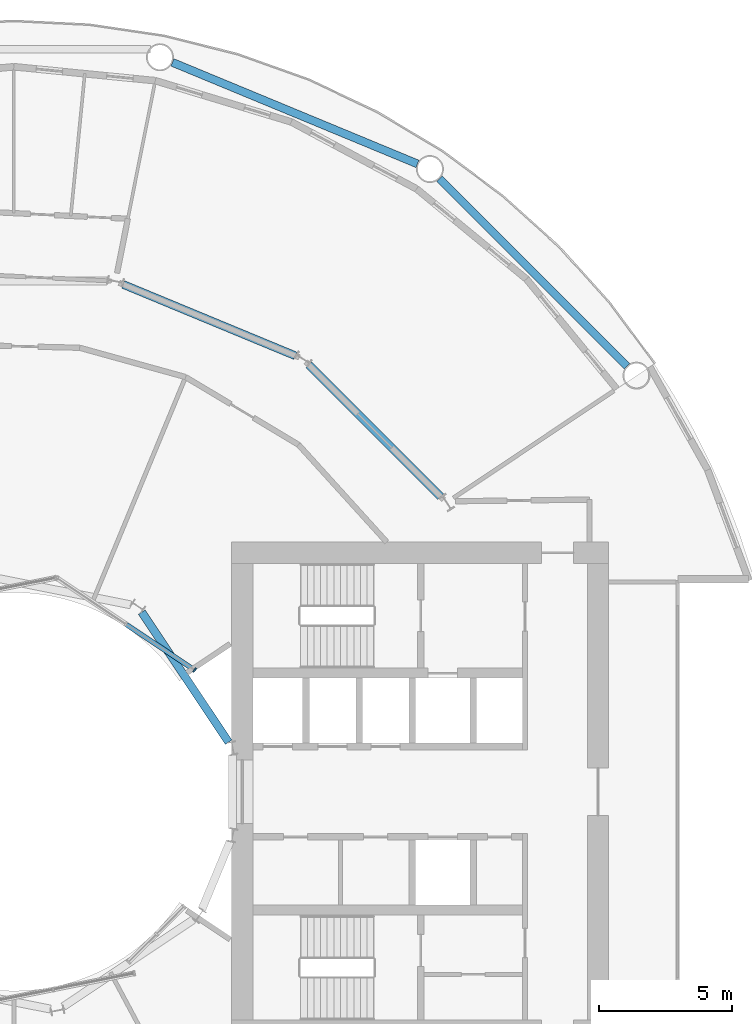
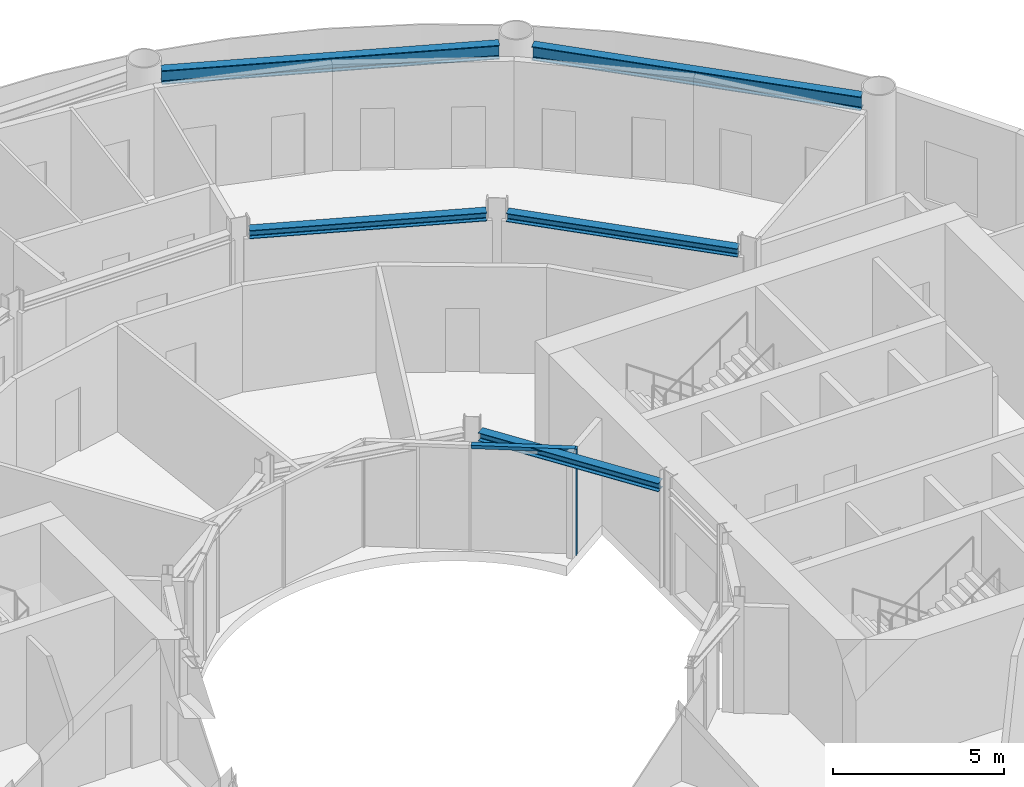
# One storey, part 8 of 19: 5 beams, 2 members, 1 element without a shape of its own.
"""IFC4 building model written with IfcOpenShell, lengths in metres."""

from ifc_helpers import new_model, si_unit, direction, frame, origin, origin_2d, place, context, subcontext, project, spatial, rectangle, i_section, extrude, material, layer, layer_set, material_profile, profile_set, type_object, element, aggregate, save


model = new_model("IFC4")

# Units and contexts
model_context = context("Model", 3, precision=1e-05, world=origin(), true_north=direction((0.0, 1.0)))
body_context = subcontext(model_context, "Body", "Model", "MODEL_VIEW")
ifc_project = project(units=[si_unit("LENGTHUNIT", "METRE"), si_unit("AREAUNIT", "SQUARE_METRE"), si_unit("VOLUMEUNIT", "CUBIC_METRE"), si_unit("PLANEANGLEUNIT", "RADIAN"), si_unit("MASSUNIT", "GRAM", prefix="KILO")], contexts=[model_context])

# Site, building, storey
site_placement = place(None, origin())
site = spatial("IfcSite", under=ifc_project, at=site_placement, CompositionType="ELEMENT")
building_placement = place(site_placement, origin())
building = spatial("IfcBuilding", under=site, at=building_placement, Name="Maasbend Ring Residences", CompositionType="ELEMENT")
storey_placement = place(building_placement, frame((0.0, 0.0, 53.300048828125)))
storey = spatial("IfcBuildingStorey", under=building, at=storey_placement, Name="L15", CompositionType="ELEMENT", Elevation=53.300048828125)

# Curtain wall, members
ifc_material_1 = material(Name="Aluminium and clear glass", Category="aluminium")
ifc_layer = layer(ifc_material_1, 0.179931640625)
ifc_layer_set = layer_set([ifc_layer], Name="CW-W")
curtain_wall_type = type_object("IfcCurtainWallType", Name="CW-W", PredefinedType="NOTDEFINED", material=ifc_layer_set)
curtain_wall_placement = place(storey_placement, origin())
curtain_wall = element("IfcCurtainWall", 1, at=curtain_wall_placement, inside=storey, type_object=curtain_wall_type, Name="Well curtain wall N1", PredefinedType="NOTDEFINED")
ifc_material_2 = material(Name="Aluminium 6063-T6", Category="aluminium")
ifc_material_profile_1 = material_profile(ifc_material_2, rectangle(XDim=0.179931640625, YDim=0.06005859375, at=origin_2d()), Name="AL 180x60")
ifc_profile_set_1 = profile_set([ifc_material_profile_1], Name="Aluminium 6063-T6")
member_type_1 = type_object("IfcMemberType", Name="CWM-W", PredefinedType="MULLION", material=ifc_profile_set_1)
member_1_placement = place(storey_placement, frame((6.805908203125, 4.580810546875, 0.0), z_axis=(0.0, 0.0, 1.0), x_axis=(-0.55557023302, -0.831469612303, 0.0)))
member_1 = element("IfcMember", 2, at=member_1_placement, type_object=member_type_1, Name="Mullion well face", PredefinedType="MULLION", context=body_context, shape_type="SweptSolid", body=[
    extrude(rectangle(XDim=0.179931640625, YDim=0.06005859375, at=origin_2d()), origin(), (0.0, 0.0, 1.0), 3.800048828125),
])
ifc_material_3 = material(Name="Aluminium 6063-T6", Category="aluminium")
ifc_material_profile_2 = material_profile(ifc_material_3, rectangle(XDim=0.179931640625, YDim=0.1201171875, at=origin_2d()), Name="AL 180x120")
ifc_profile_set_2 = profile_set([ifc_material_profile_2], Name="Aluminium 6063-T6")
member_type_2 = type_object("IfcMemberType", Name="CWT-W", PredefinedType="USERDEFINED", material=ifc_profile_set_2)
member_2_placement = place(storey_placement, frame((6.781005859375, 4.59765625, 3.739990234375), z_axis=(-0.831496422459, 0.555530106689, 0.0), x_axis=(-0.555530106689, -0.831496422459, 0.0)))
member_2 = element("IfcMember", 3, at=member_2_placement, type_object=member_type_2, Name="Transom well face", ObjectType="TRANSOM", PredefinedType="USERDEFINED", context=body_context, shape_type="SweptSolid", body=[
    extrude(rectangle(XDim=0.179931640625, YDim=0.1201171875, at=origin_2d()), origin(), (0.0, 0.0, 1.0), 3.053955078125),
])
aggregate(curtain_wall, [member_1, member_2])

# Beams
ifc_material_4 = material(Name="Steel S355J2", Category="steel")
ifc_material_profile_3 = material_profile(ifc_material_4, i_section(OverallWidth=0.300048828125, OverallDepth=0.300048828125, WebThickness=0.010986328125, FlangeThickness=0.01904296875, FilletRadius=0.027099609375, at=origin_2d()), Name="HEB 300")
ifc_profile_set_3 = profile_set([ifc_material_profile_3], Name="Steel S355J2")
beam_type_1 = type_object("IfcBeamType", Name="Corridor ring beam HEB 300", PredefinedType="BEAM", material=ifc_profile_set_3)
beam_1_placement = place(storey_placement, frame((16.0732421875, 11.11279296875, 3.64990234375), z_axis=(-0.707106781187, 0.707106781187, 0.0), x_axis=(-0.707106781187, -0.707106781187, 0.0)))
element("IfcBeam", 4, at=beam_1_placement, inside=storey, type_object=beam_type_1, Name="Corridor ring beam", PredefinedType="BEAM", context=body_context, shape_type="SweptSolid", body=[
    extrude(i_section(OverallWidth=0.300048828125, OverallDepth=0.300048828125, WebThickness=0.010986328125, FlangeThickness=0.01904296875, FilletRadius=0.027099609375, at=origin_2d()), origin(), (0.0, 0.0, 1.0), 7.01513671875),
])
beam_2_placement = place(storey_placement, frame((10.59716796875, 16.417724609375, 3.64990234375), z_axis=(-0.923886196809, 0.38266734293, 0.0), x_axis=(-0.38266734293, -0.923886196809, 0.0)))
element("IfcBeam", 5, at=beam_2_placement, inside=storey, type_object=beam_type_1, Name="Corridor ring beam", PredefinedType="BEAM", context=body_context, shape_type="SweptSolid", body=[
    extrude(i_section(OverallWidth=0.300048828125, OverallDepth=0.300048828125, WebThickness=0.010986328125, FlangeThickness=0.01904296875, FilletRadius=0.027099609375, at=origin_2d()), origin(), (0.0, 0.0, 1.0), 7.015380859375),
])
ifc_material_5 = material(Name="Steel S355J2", Category="steel")
ifc_material_profile_4 = material_profile(ifc_material_5, i_section(OverallWidth=0.300048828125, OverallDepth=0.5, WebThickness=0.014404296875, FlangeThickness=0.028076171875, FilletRadius=0.027099609375, at=origin_2d()), Name="HEB 500")
ifc_profile_set_4 = profile_set([ifc_material_profile_4], Name="Steel S355J2")
beam_type_2 = type_object("IfcBeamType", Name="Spandrel ring beam HEB 500", PredefinedType="SPANDREL", material=ifc_profile_set_4)
beam_3_placement = place(storey_placement, frame((23.088134765625, 16.0263671875, 3.550048828125), z_axis=(-0.707106781187, 0.707106781187, 0.0), x_axis=(-0.707106781187, -0.707106781187, 0.0)))
element("IfcBeam", 6, at=beam_3_placement, inside=storey, type_object=beam_type_2, Name="Spandrel ring beam", PredefinedType="SPANDREL", context=body_context, shape_type="SweptSolid", body=[
    extrude(i_section(OverallWidth=0.300048828125, OverallDepth=0.5, WebThickness=0.014404296875, FlangeThickness=0.028076171875, FilletRadius=0.027099609375, at=origin_2d()), origin(), (0.0, 0.0, 1.0), 9.98681640625),
])
beam_4_placement = place(storey_placement, frame((15.19775390625, 23.641845703125, 3.550048828125), z_axis=(-0.923886337442, 0.382667003395, 0.0), x_axis=(-0.382667003395, -0.923886337442, 0.0)))
element("IfcBeam", 7, at=beam_4_placement, inside=storey, type_object=beam_type_2, Name="Spandrel ring beam", PredefinedType="SPANDREL", context=body_context, shape_type="SweptSolid", body=[
    extrude(i_section(OverallWidth=0.300048828125, OverallDepth=0.5, WebThickness=0.014404296875, FlangeThickness=0.028076171875, FilletRadius=0.027099609375, at=origin_2d()), origin(), (0.0, 0.0, 1.0), 9.9873046875),
])
ifc_material_6 = material(Name="Steel S355J2", Category="steel")
ifc_material_profile_5 = material_profile(ifc_material_6, i_section(OverallWidth=0.300048828125, OverallDepth=0.300048828125, WebThickness=0.010986328125, FlangeThickness=0.01904296875, FilletRadius=0.027099609375, at=origin_2d()), Name="HEB 300")
ifc_profile_set_5 = profile_set([ifc_material_profile_5], Name="Steel S355J2")
beam_type_3 = type_object("IfcBeamType", Name="Well edge beam HEB 300", PredefinedType="BEAM", material=ifc_profile_set_5)
beam_5_placement = place(storey_placement, frame((8.08837890625, 1.86376953125, 3.64990234375), z_axis=(-0.555589782054, 0.831456549723, 0.0), x_axis=(-0.831456549723, -0.555589782054, 0.0)))
element("IfcBeam", 8, at=beam_5_placement, inside=storey, type_object=beam_type_3, Name="Well edge beam", PredefinedType="BEAM", context=body_context, shape_type="SweptSolid", body=[
    extrude(i_section(OverallWidth=0.300048828125, OverallDepth=0.300048828125, WebThickness=0.010986328125, FlangeThickness=0.01904296875, FilletRadius=0.027099609375, at=origin_2d()), origin(), (0.0, 0.0, 1.0), 5.887939453125),
])

save(model, "model.ifc")
